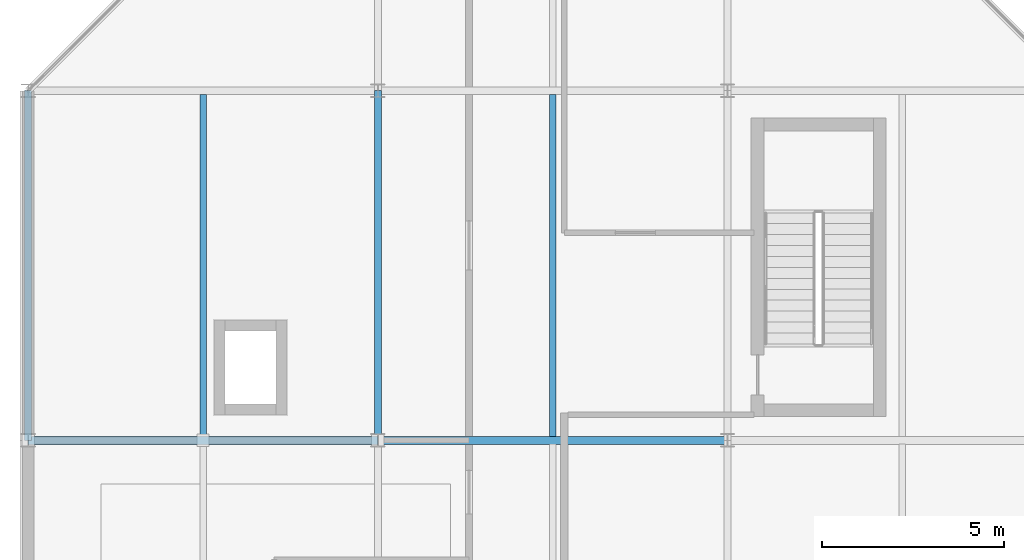
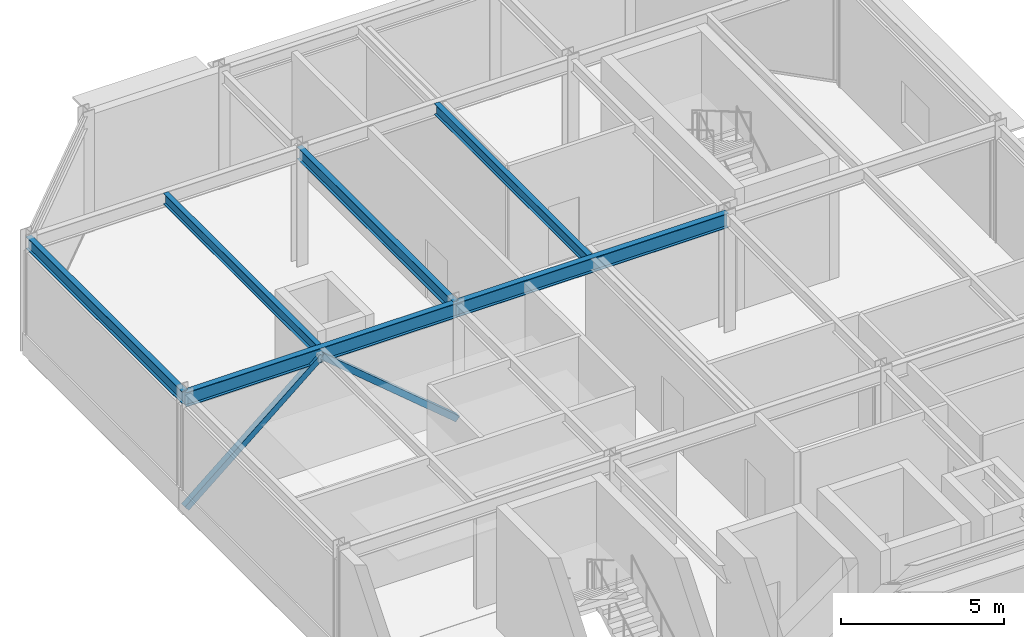
# One storey, part 69 of 157: 6 beams, 2 members.
"""IFC4 building model written with IfcOpenShell, lengths in metres."""

from ifc_helpers import new_model, si_unit, direction, frame, origin, origin_2d, place, context, subcontext, project, spatial, hollow_rectangle, i_section, extrude, material, material_profile, profile_set, type_object, element, save


model = new_model("IFC4")

# Units and contexts
model_context = context("Model", 3, precision=1e-05, world=origin(), true_north=direction((0.0, 1.0)))
body_context = subcontext(model_context, "Body", "Model", "MODEL_VIEW")
ifc_project = project(units=[si_unit("LENGTHUNIT", "METRE"), si_unit("AREAUNIT", "SQUARE_METRE"), si_unit("VOLUMEUNIT", "CUBIC_METRE"), si_unit("PLANEANGLEUNIT", "RADIAN"), si_unit("MASSUNIT", "GRAM", prefix="KILO")], contexts=[model_context])

# Site, building, storey
site_placement = place(None, origin())
site = spatial("IfcSite", under=ifc_project, at=site_placement, CompositionType="ELEMENT")
building_placement = place(site_placement, origin())
building = spatial("IfcBuilding", under=site, at=building_placement, Name="Almandine Court Research Institute", CompositionType="ELEMENT")
storey_placement = place(building_placement, frame((0.0, 0.0, 5.25)))
storey = spatial("IfcBuildingStorey", under=building, at=storey_placement, Name="L01", CompositionType="ELEMENT", Elevation=5.25)

# Beams
ifc_material_1 = material(Name="Steel ASTM A992 Grade 50", Category="steel")
ifc_material_profile_1 = material_profile(ifc_material_1, i_section(OverallWidth=0.18994140625, OverallDepth=0.45703125, WebThickness=0.009033203125, FlangeThickness=0.014892578125, at=origin_2d()), Name="W460x74")
ifc_profile_set_1 = profile_set([ifc_material_profile_1], Name="Steel ASTM A992 Grade 50")
beam_type_1 = type_object("IfcBeamType", Name="Beam-B-01", PredefinedType="BEAM", material=ifc_profile_set_1)
beam_1_placement = place(storey_placement, frame((15.60009765625, 103.199951171875, 4.14111328125), z_axis=(0.0, 1.0, 0.0), x_axis=(-1.0, 0.0, 0.0)))
element("IfcBeam", 1, at=beam_1_placement, inside=storey, type_object=beam_type_1, Name="L01 V3 Primary Y Girder", PredefinedType="BEAM", context=body_context, shape_type="SweptSolid", body=[
    extrude(i_section(OverallWidth=0.18994140625, OverallDepth=0.45703125, WebThickness=0.009033203125, FlangeThickness=0.014892578125, at=origin_2d()), origin(), (0.0, 0.0, 1.0), 9.60009765625),
])
ifc_material_profile_2 = material_profile(ifc_material_1, i_section(OverallWidth=0.178955078125, OverallDepth=0.409912109375, WebThickness=0.009033203125, FlangeThickness=0.013916015625, at=origin_2d()), Name="W410x67")
ifc_profile_set_2 = profile_set([ifc_material_profile_2], Name="Steel ASTM A992 Grade 50")
beam_type_2 = type_object("IfcBeamType", Name="Beam-B-02", PredefinedType="JOIST", material=ifc_profile_set_2)
for number, where, z_axis, x_axis, name in (
    (2, (10.800048828125, 103.302978515625, 4.1650390625), (0.0, 1.0, 0.0), (-1.0, 0.0, 0.0), "L01 V3 Composite Secondary Beam"),
    (3, (20.39990234375, 103.302978515625, 4.1650390625), (0.0, 1.0, 0.0), (-1.0, 0.0, 0.0), "L01 V3 Composite Secondary Beam"),
):
    element("IfcBeam", number, at=place(storey_placement, frame(where, z_axis=z_axis, x_axis=x_axis)), inside=storey, type_object=beam_type_2, Name=name, PredefinedType="JOIST", context=body_context, shape_type="SweptSolid", body=[
        extrude(i_section(OverallWidth=0.178955078125, OverallDepth=0.409912109375, WebThickness=0.009033203125, FlangeThickness=0.013916015625, at=origin_2d()), origin(), (0.0, 0.0, 1.0), 9.39404296875),
    ])
ifc_material_profile_3 = material_profile(ifc_material_1, i_section(OverallWidth=0.2109375, OverallDepth=0.5390625, WebThickness=0.011962890625, FlangeThickness=0.01904296875, at=origin_2d()), Name="W530x109")
ifc_profile_set_3 = profile_set([ifc_material_profile_3], Name="Steel ASTM A992 Grade 50")
beam_type_3 = type_object("IfcBeamType", Name="Beam-G-04", PredefinedType="BEAM", material=ifc_profile_set_3)
beam_2_placement = place(storey_placement, frame((6.0, 103.199951171875, 4.10009765625), z_axis=(1.0, 0.0, 0.0), x_axis=(0.0, 1.0, 0.0)))
element("IfcBeam", 4, at=beam_2_placement, inside=storey, type_object=beam_type_3, Name="L01 V3 Primary X Girder", PredefinedType="BEAM", context=body_context, shape_type="SweptSolid", body=[
    extrude(i_section(OverallWidth=0.2109375, OverallDepth=0.5390625, WebThickness=0.011962890625, FlangeThickness=0.01904296875, at=origin_2d()), origin(), (0.0, 0.0, 1.0), 9.60009765625),
])
beam_3_placement = place(storey_placement, frame((15.60009765625, 103.199951171875, 4.10009765625), z_axis=(1.0, 0.0, 0.0), x_axis=(0.0, 1.0, 0.0)))
element("IfcBeam", 5, at=beam_3_placement, inside=storey, type_object=beam_type_3, Name="L01 V3 Primary X Girder", PredefinedType="BEAM", context=body_context, shape_type="SweptSolid", body=[
    extrude(i_section(OverallWidth=0.2109375, OverallDepth=0.5390625, WebThickness=0.011962890625, FlangeThickness=0.01904296875, at=origin_2d()), origin(), (0.0, 0.0, 1.0), 9.599853515625),
])
ifc_material_profile_4 = material_profile(ifc_material_1, i_section(OverallWidth=0.193115234375, OverallDepth=0.466064453125, WebThickness=0.010986328125, FlangeThickness=0.01904296875, at=origin_2d()), Name="W460x97")
ifc_profile_set_4 = profile_set([ifc_material_profile_4], Name="Steel ASTM A992 Grade 50")
beam_type_4 = type_object("IfcBeamType", Name="Beam-G-06-E", PredefinedType="SPANDREL", material=ifc_profile_set_4)
beam_4_placement = place(storey_placement, frame((6.0, 103.199951171875, 4.136962890625), z_axis=(0.0, 1.0, 0.0), x_axis=(-1.0, 0.0, 0.0)))
element("IfcBeam", 6, at=beam_4_placement, inside=storey, type_object=beam_type_4, Name="L01 V3 Primary Y Girder", PredefinedType="SPANDREL", context=body_context, shape_type="SweptSolid", body=[
    extrude(i_section(OverallWidth=0.193115234375, OverallDepth=0.466064453125, WebThickness=0.010986328125, FlangeThickness=0.01904296875, at=origin_2d()), origin(), (0.0, 0.0, 1.0), 9.60009765625),
])

# Members
ifc_material_2 = material(Name="Steel ASTM A500 Grade C", Category="steel")
ifc_material_profile_5 = material_profile(ifc_material_2, hollow_rectangle(XDim=0.219970703125, YDim=0.219970703125, WallThickness=0.010009765625, at=origin_2d()), Name="HSS 220x220x10")
ifc_profile_set_5 = profile_set([ifc_material_profile_5], Name="Steel ASTM A500 Grade C")
member_type = type_object("IfcMemberType", Name="Mem-BF-BR1", PredefinedType="BRACE", material=ifc_profile_set_5)
for number, where, z_axis, x_axis, name in (
    (7, (6.0, 103.199951171875, 0.02001953125), (0.765862920872, 0.0, 0.643003877464), (0.0, 1.0, 0.0), "L01 Seismic Chevron Brace V3-BF1 Left"),
    (8, (15.60009765625, 103.199951171875, 0.02001953125), (-0.765862920872, 0.0, 0.643003877464), (0.0, -1.0, 0.0), "L01 Seismic Chevron Brace V3-BF1 Right"),
):
    element("IfcMember", number, at=place(storey_placement, frame(where, z_axis=z_axis, x_axis=x_axis)), inside=storey, type_object=member_type, Name=name, PredefinedType="BRACE", context=body_context, shape_type="SweptSolid", body=[
        extrude(hollow_rectangle(XDim=0.219970703125, YDim=0.219970703125, WallThickness=0.010009765625, at=origin_2d()), origin(), (0.0, 0.0, 1.0), 6.267578125),
    ])

save(model, "model.ifc")
